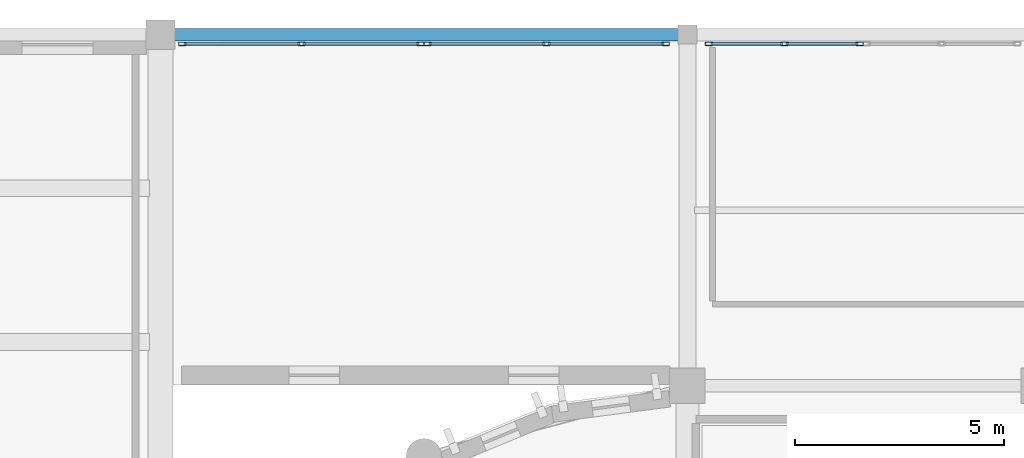
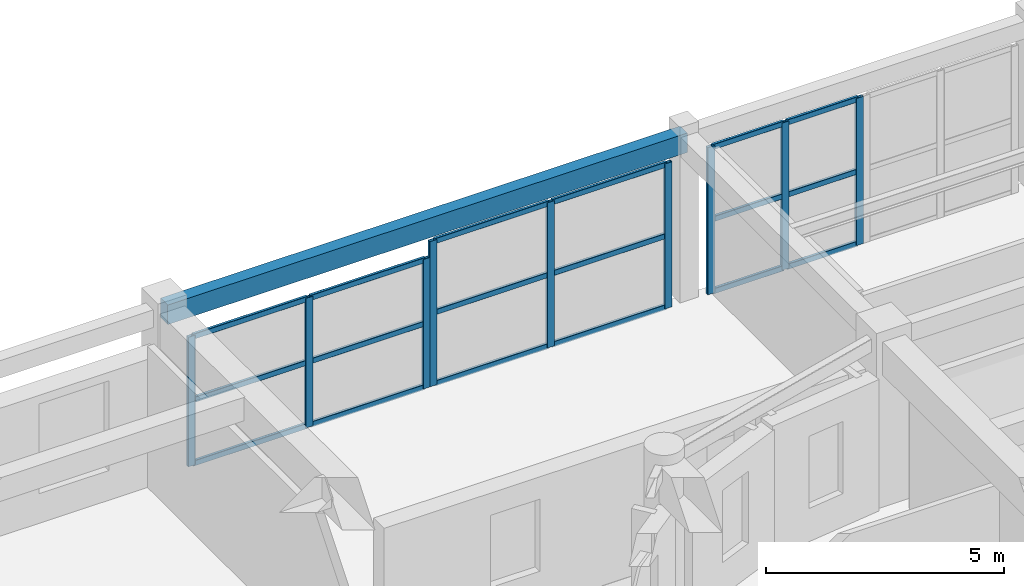
# One storey, part 32 of 92: 27 members, 1 beam, 3 elements without a shape of their own.
"""IFC4 building model written with IfcOpenShell, lengths in metres."""

from ifc_helpers import new_model, si_unit, direction, frame, origin, origin_2d, place, context, subcontext, project, spatial, rectangle, hollow_rectangle, extrude, material, layer, layer_set, material_profile, profile_set, type_object, element, aggregate, save


model = new_model("IFC4")

# Units and contexts
model_context = context("Model", 3, precision=1e-05, world=origin(), true_north=direction((0.0, 1.0)))
body_context = subcontext(model_context, "Body", "Model", "MODEL_VIEW")
ifc_project = project(units=[si_unit("LENGTHUNIT", "METRE"), si_unit("AREAUNIT", "SQUARE_METRE"), si_unit("VOLUMEUNIT", "CUBIC_METRE"), si_unit("PLANEANGLEUNIT", "RADIAN"), si_unit("MASSUNIT", "GRAM", prefix="KILO")], contexts=[model_context])

# Site, building, storey
site_placement = place(None, origin())
site = spatial("IfcSite", under=ifc_project, at=site_placement, CompositionType="ELEMENT")
building_placement = place(site_placement, origin())
building = spatial("IfcBuilding", under=site, at=building_placement, Name="Tarnavel Promenade Courthouse", CompositionType="ELEMENT")
storey_placement = place(building_placement, frame((0.0, 0.0, 5.39990234375)))
storey = spatial("IfcBuildingStorey", under=building, at=storey_placement, Name="L02", CompositionType="ELEMENT", Elevation=5.39990234375)

# Beam
ifc_material_1 = material(Name="Concrete C40/50", Category="concrete")
ifc_material_profile_1 = material_profile(ifc_material_1, rectangle(XDim=0.300048828125, YDim=0.5, at=origin_2d()), Name="RC 300x500")
ifc_profile_set_1 = profile_set([ifc_material_profile_1], Name="Concrete C40/50")
beam_type = type_object("IfcBeamType", Name="Concrete C40/50 BM-SP-300x500 (RC 300x500)", PredefinedType="SPANDREL", material=ifc_profile_set_1)
beam_placement = place(storey_placement, frame((46.199951171875, 112.800048828125, 3.985107421875), z_axis=(1.0, 0.0, 0.0), x_axis=(0.0, 1.0, 0.0)))
element("IfcBeam", 1, at=beam_placement, inside=storey, type_object=beam_type, Name="L02 Primary Longitudinal Beam 1215", PredefinedType="SPANDREL", context=body_context, shape_type="SweptSolid", body=[
    extrude(rectangle(XDim=0.300048828125, YDim=0.5, at=origin_2d()), origin(), (0.0, 0.0, 1.0), 12.60009765625),
])

# Curtain wall, members
ifc_material_2 = material(Name="Thermally Broken Anodised Aluminium Curtain Wall System", Category="aluminium")
ifc_layer = layer(ifc_material_2, 0.199951171875)
ifc_layer_set = layer_set([ifc_layer], Name="Thermally Broken Anodised Aluminium Curtain Wall System")
curtain_wall_type = type_object("IfcCurtainWallType", Name="Thermally Broken Aluminium Triple-Glazed Curtain Wall CW-FOYER", PredefinedType="NOTDEFINED", material=ifc_layer_set)
curtain_wall_1_placement = place(storey_placement, origin())
curtain_wall_1 = element("IfcCurtainWall", 2, at=curtain_wall_1_placement, inside=storey, type_object=curtain_wall_type, Name="L02 North Foyer Curtain Wall A 126", PredefinedType="NOTDEFINED")
ifc_material_3 = material(Name="Thermally Broken Anodised Aluminium Frame", Category="aluminium")
ifc_material_profile_2 = material_profile(ifc_material_3, hollow_rectangle(XDim=0.080078125, YDim=0.179931640625, WallThickness=0.0048828125, InnerFilletRadius=0.0048828125, OuterFilletRadius=0.010009765625, at=origin_2d()), Name="CWM 180x80x5")
ifc_profile_set_2 = profile_set([ifc_material_profile_2], Name="Thermally Broken Anodised Aluminium Frame")
member_type_1 = type_object("IfcMemberType", Name="Thermally Broken Anodised Aluminium CWM-155 (CWM 180x80x5)", PredefinedType="MULLION", material=ifc_profile_set_2)
member_1_placement = place(storey_placement, frame((46.719970703125, 112.580078125, 0.0), z_axis=(0.0, 0.0, 1.0), x_axis=(0.0, 1.0, 0.0)))
member_1 = element("IfcMember", 3, at=member_1_placement, type_object=member_type_1, Name="CW-04 mullion 1", PredefinedType="MULLION", context=body_context, shape_type="SweptSolid", body=[
    extrude(hollow_rectangle(XDim=0.080078125, YDim=0.179931640625, WallThickness=0.0048828125, InnerFilletRadius=0.0048828125, OuterFilletRadius=0.010009765625, at=origin_2d()), origin(), (0.0, 0.0, 1.0), 3.320068359375),
])
member_2_placement = place(storey_placement, frame((49.570068359375, 112.580078125, 0.0), z_axis=(0.0, 0.0, 1.0), x_axis=(0.0, 1.0, 0.0)))
member_2 = element("IfcMember", 4, at=member_2_placement, type_object=member_type_1, Name="CW-04 mullion 2", PredefinedType="MULLION", context=body_context, shape_type="SweptSolid", body=[
    extrude(hollow_rectangle(XDim=0.080078125, YDim=0.179931640625, WallThickness=0.0048828125, InnerFilletRadius=0.0048828125, OuterFilletRadius=0.010009765625, at=origin_2d()), origin(), (0.0, 0.0, 1.0), 3.320068359375),
])
member_3_placement = place(storey_placement, frame((52.419921875, 112.580078125, 0.0), z_axis=(0.0, 0.0, 1.0), x_axis=(0.0, 1.0, 0.0)))
member_3 = element("IfcMember", 5, at=member_3_placement, type_object=member_type_1, Name="CW-04 mullion 3", PredefinedType="MULLION", context=body_context, shape_type="SweptSolid", body=[
    extrude(hollow_rectangle(XDim=0.080078125, YDim=0.179931640625, WallThickness=0.0048828125, InnerFilletRadius=0.0048828125, OuterFilletRadius=0.010009765625, at=origin_2d()), origin(), (0.0, 0.0, 1.0), 3.320068359375),
])

curtain_wall_2_placement = place(storey_placement, origin())
curtain_wall_2 = element("IfcCurtainWall", 6, at=curtain_wall_2_placement, inside=storey, type_object=curtain_wall_type, Name="L02 North Foyer Curtain Wall B 127", PredefinedType="NOTDEFINED")
member_4_placement = place(storey_placement, frame((52.580078125, 112.580078125, 0.0), z_axis=(0.0, 0.0, 1.0), x_axis=(0.0, 1.0, 0.0)))
member_4 = element("IfcMember", 7, at=member_4_placement, type_object=member_type_1, Name="CW-04 mullion 1", PredefinedType="MULLION", context=body_context, shape_type="SweptSolid", body=[
    extrude(hollow_rectangle(XDim=0.080078125, YDim=0.179931640625, WallThickness=0.0048828125, InnerFilletRadius=0.0048828125, OuterFilletRadius=0.010009765625, at=origin_2d()), origin(), (0.0, 0.0, 1.0), 3.72021484375),
])
member_5_placement = place(storey_placement, frame((55.429931640625, 112.580078125, 0.0), z_axis=(0.0, 0.0, 1.0), x_axis=(0.0, 1.0, 0.0)))
member_5 = element("IfcMember", 8, at=member_5_placement, type_object=member_type_1, Name="CW-04 mullion 2", PredefinedType="MULLION", context=body_context, shape_type="SweptSolid", body=[
    extrude(hollow_rectangle(XDim=0.080078125, YDim=0.179931640625, WallThickness=0.0048828125, InnerFilletRadius=0.0048828125, OuterFilletRadius=0.010009765625, at=origin_2d()), origin(), (0.0, 0.0, 1.0), 3.72021484375),
])
member_6_placement = place(storey_placement, frame((58.280029296875, 112.580078125, 0.0), z_axis=(0.0, 0.0, 1.0), x_axis=(0.0, 1.0, 0.0)))
member_6 = element("IfcMember", 9, at=member_6_placement, type_object=member_type_1, Name="CW-04 mullion 3", PredefinedType="MULLION", context=body_context, shape_type="SweptSolid", body=[
    extrude(hollow_rectangle(XDim=0.080078125, YDim=0.179931640625, WallThickness=0.0048828125, InnerFilletRadius=0.0048828125, OuterFilletRadius=0.010009765625, at=origin_2d()), origin(), (0.0, 0.0, 1.0), 3.72021484375),
])

curtain_wall_3_placement = place(storey_placement, origin())
curtain_wall_3 = element("IfcCurtainWall", 10, at=curtain_wall_3_placement, inside=storey, type_object=curtain_wall_type, Name="L02 North Foyer Curtain Wall A 128", PredefinedType="NOTDEFINED")
member_7_placement = place(storey_placement, frame((59.320068359375, 112.580078125, 0.0), z_axis=(0.0, 0.0, 1.0), x_axis=(0.0, 1.0, 0.0)))
member_7 = element("IfcMember", 11, at=member_7_placement, type_object=member_type_1, Name="CW-04 mullion 1", PredefinedType="MULLION", context=body_context, shape_type="SweptSolid", body=[
    extrude(hollow_rectangle(XDim=0.080078125, YDim=0.179931640625, WallThickness=0.0048828125, InnerFilletRadius=0.0048828125, OuterFilletRadius=0.010009765625, at=origin_2d()), origin(), (0.0, 0.0, 1.0), 3.77001953125),
])
member_8_placement = place(storey_placement, frame((61.1201171875, 112.580078125, 0.0), z_axis=(0.0, 0.0, 1.0), x_axis=(0.0, 1.0, 0.0)))
member_8 = element("IfcMember", 12, at=member_8_placement, type_object=member_type_1, Name="CW-04 mullion 2", PredefinedType="MULLION", context=body_context, shape_type="SweptSolid", body=[
    extrude(hollow_rectangle(XDim=0.080078125, YDim=0.179931640625, WallThickness=0.0048828125, InnerFilletRadius=0.0048828125, OuterFilletRadius=0.010009765625, at=origin_2d()), origin(), (0.0, 0.0, 1.0), 3.77001953125),
])
member_9_placement = place(storey_placement, frame((62.919921875, 112.580078125, 0.0), z_axis=(0.0, 0.0, 1.0), x_axis=(0.0, 1.0, 0.0)))
member_9 = element("IfcMember", 13, at=member_9_placement, type_object=member_type_1, Name="CW-04 mullion 3", PredefinedType="MULLION", context=body_context, shape_type="SweptSolid", body=[
    extrude(hollow_rectangle(XDim=0.080078125, YDim=0.179931640625, WallThickness=0.0048828125, InnerFilletRadius=0.0048828125, OuterFilletRadius=0.010009765625, at=origin_2d()), origin(), (0.0, 0.0, 1.0), 3.77001953125),
])

# Member
ifc_material_profile_3 = material_profile(ifc_material_3, hollow_rectangle(XDim=0.070068359375, YDim=0.139892578125, WallThickness=0.0048828125, InnerFilletRadius=0.0048828125, OuterFilletRadius=0.010009765625, at=origin_2d()), Name="CWT 140x70x5")
ifc_profile_set_3 = profile_set([ifc_material_profile_3], Name="Thermally Broken Anodised Aluminium Frame")
member_type_2 = type_object("IfcMemberType", Name="Thermally Broken Anodised Aluminium CWT-125 (CWT 140x70x5)", PredefinedType="USERDEFINED", material=ifc_profile_set_3)
member_10_placement = place(storey_placement, frame((46.760009765625, 112.580078125, 0.03515625), z_axis=(1.0, 0.0, 0.0), x_axis=(0.0, 1.0, 0.0)))
member_10 = element("IfcMember", 14, at=member_10_placement, type_object=member_type_2, Name="CW-04 transom 1.1", ObjectType="TRANSOM", PredefinedType="USERDEFINED", context=body_context, shape_type="SweptSolid", body=[
    extrude(hollow_rectangle(XDim=0.070068359375, YDim=0.139892578125, WallThickness=0.0048828125, InnerFilletRadius=0.0048828125, OuterFilletRadius=0.010009765625, at=origin_2d()), origin(), (0.0, 0.0, 1.0), 2.77001953125),
])

member_11_placement = place(storey_placement, frame((46.760009765625, 112.580078125, 1.66015625), z_axis=(1.0, 0.0, 0.0), x_axis=(0.0, 1.0, 0.0)))
member_11 = element("IfcMember", 15, at=member_11_placement, type_object=member_type_2, Name="CW-04 transom 1.2", ObjectType="TRANSOM", PredefinedType="USERDEFINED", context=body_context, shape_type="SweptSolid", body=[
    extrude(hollow_rectangle(XDim=0.070068359375, YDim=0.139892578125, WallThickness=0.0048828125, InnerFilletRadius=0.0048828125, OuterFilletRadius=0.010009765625, at=origin_2d()), origin(), (0.0, 0.0, 1.0), 2.77001953125),
])

member_12_placement = place(storey_placement, frame((46.760009765625, 112.580078125, 3.28515625), z_axis=(1.0, 0.0, 0.0), x_axis=(0.0, 1.0, 0.0)))
member_12 = element("IfcMember", 16, at=member_12_placement, type_object=member_type_2, Name="CW-04 transom 1.3", ObjectType="TRANSOM", PredefinedType="USERDEFINED", context=body_context, shape_type="SweptSolid", body=[
    extrude(hollow_rectangle(XDim=0.070068359375, YDim=0.139892578125, WallThickness=0.0048828125, InnerFilletRadius=0.0048828125, OuterFilletRadius=0.010009765625, at=origin_2d()), origin(), (0.0, 0.0, 1.0), 2.77001953125),
])

member_13_placement = place(storey_placement, frame((49.610107421875, 112.580078125, 0.03515625), z_axis=(1.0, 0.0, 0.0), x_axis=(0.0, 1.0, 0.0)))
member_13 = element("IfcMember", 17, at=member_13_placement, type_object=member_type_2, Name="CW-04 transom 2.1", ObjectType="TRANSOM", PredefinedType="USERDEFINED", context=body_context, shape_type="SweptSolid", body=[
    extrude(hollow_rectangle(XDim=0.070068359375, YDim=0.139892578125, WallThickness=0.0048828125, InnerFilletRadius=0.0048828125, OuterFilletRadius=0.010009765625, at=origin_2d()), origin(), (0.0, 0.0, 1.0), 2.769775390625),
])

member_14_placement = place(storey_placement, frame((49.610107421875, 112.580078125, 1.66015625), z_axis=(1.0, 0.0, 0.0), x_axis=(0.0, 1.0, 0.0)))
member_14 = element("IfcMember", 18, at=member_14_placement, type_object=member_type_2, Name="CW-04 transom 2.2", ObjectType="TRANSOM", PredefinedType="USERDEFINED", context=body_context, shape_type="SweptSolid", body=[
    extrude(hollow_rectangle(XDim=0.070068359375, YDim=0.139892578125, WallThickness=0.0048828125, InnerFilletRadius=0.0048828125, OuterFilletRadius=0.010009765625, at=origin_2d()), origin(), (0.0, 0.0, 1.0), 2.769775390625),
])

member_15_placement = place(storey_placement, frame((49.610107421875, 112.580078125, 3.28515625), z_axis=(1.0, 0.0, 0.0), x_axis=(0.0, 1.0, 0.0)))
member_15 = element("IfcMember", 19, at=member_15_placement, type_object=member_type_2, Name="CW-04 transom 2.3", ObjectType="TRANSOM", PredefinedType="USERDEFINED", context=body_context, shape_type="SweptSolid", body=[
    extrude(hollow_rectangle(XDim=0.070068359375, YDim=0.139892578125, WallThickness=0.0048828125, InnerFilletRadius=0.0048828125, OuterFilletRadius=0.010009765625, at=origin_2d()), origin(), (0.0, 0.0, 1.0), 2.769775390625),
])

aggregate(curtain_wall_1, [member_1, member_2, member_3, member_10, member_11, member_12, member_13, member_14, member_15])

member_16_placement = place(storey_placement, frame((52.6201171875, 112.580078125, 0.03515625), z_axis=(1.0, 0.0, 0.0), x_axis=(0.0, 1.0, 0.0)))
member_16 = element("IfcMember", 20, at=member_16_placement, type_object=member_type_2, Name="CW-04 transom 1.1", ObjectType="TRANSOM", PredefinedType="USERDEFINED", context=body_context, shape_type="SweptSolid", body=[
    extrude(hollow_rectangle(XDim=0.070068359375, YDim=0.139892578125, WallThickness=0.0048828125, InnerFilletRadius=0.0048828125, OuterFilletRadius=0.010009765625, at=origin_2d()), origin(), (0.0, 0.0, 1.0), 2.769775390625),
])

member_17_placement = place(storey_placement, frame((52.6201171875, 112.580078125, 1.860107421875), z_axis=(1.0, 0.0, 0.0), x_axis=(0.0, 1.0, 0.0)))
member_17 = element("IfcMember", 21, at=member_17_placement, type_object=member_type_2, Name="CW-04 transom 1.2", ObjectType="TRANSOM", PredefinedType="USERDEFINED", context=body_context, shape_type="SweptSolid", body=[
    extrude(hollow_rectangle(XDim=0.070068359375, YDim=0.139892578125, WallThickness=0.0048828125, InnerFilletRadius=0.0048828125, OuterFilletRadius=0.010009765625, at=origin_2d()), origin(), (0.0, 0.0, 1.0), 2.769775390625),
])

member_18_placement = place(storey_placement, frame((52.6201171875, 112.580078125, 3.68505859375), z_axis=(1.0, 0.0, 0.0), x_axis=(0.0, 1.0, 0.0)))
member_18 = element("IfcMember", 22, at=member_18_placement, type_object=member_type_2, Name="CW-04 transom 1.3", ObjectType="TRANSOM", PredefinedType="USERDEFINED", context=body_context, shape_type="SweptSolid", body=[
    extrude(hollow_rectangle(XDim=0.070068359375, YDim=0.139892578125, WallThickness=0.0048828125, InnerFilletRadius=0.0048828125, OuterFilletRadius=0.010009765625, at=origin_2d()), origin(), (0.0, 0.0, 1.0), 2.769775390625),
])

member_19_placement = place(storey_placement, frame((55.469970703125, 112.580078125, 0.03515625), z_axis=(1.0, 0.0, 0.0), x_axis=(0.0, 1.0, 0.0)))
member_19 = element("IfcMember", 23, at=member_19_placement, type_object=member_type_2, Name="CW-04 transom 2.1", ObjectType="TRANSOM", PredefinedType="USERDEFINED", context=body_context, shape_type="SweptSolid", body=[
    extrude(hollow_rectangle(XDim=0.070068359375, YDim=0.139892578125, WallThickness=0.0048828125, InnerFilletRadius=0.0048828125, OuterFilletRadius=0.010009765625, at=origin_2d()), origin(), (0.0, 0.0, 1.0), 2.77001953125),
])

member_20_placement = place(storey_placement, frame((55.469970703125, 112.580078125, 1.860107421875), z_axis=(1.0, 0.0, 0.0), x_axis=(0.0, 1.0, 0.0)))
member_20 = element("IfcMember", 24, at=member_20_placement, type_object=member_type_2, Name="CW-04 transom 2.2", ObjectType="TRANSOM", PredefinedType="USERDEFINED", context=body_context, shape_type="SweptSolid", body=[
    extrude(hollow_rectangle(XDim=0.070068359375, YDim=0.139892578125, WallThickness=0.0048828125, InnerFilletRadius=0.0048828125, OuterFilletRadius=0.010009765625, at=origin_2d()), origin(), (0.0, 0.0, 1.0), 2.77001953125),
])

member_21_placement = place(storey_placement, frame((55.469970703125, 112.580078125, 3.68505859375), z_axis=(1.0, 0.0, 0.0), x_axis=(0.0, 1.0, 0.0)))
member_21 = element("IfcMember", 25, at=member_21_placement, type_object=member_type_2, Name="CW-04 transom 2.3", ObjectType="TRANSOM", PredefinedType="USERDEFINED", context=body_context, shape_type="SweptSolid", body=[
    extrude(hollow_rectangle(XDim=0.070068359375, YDim=0.139892578125, WallThickness=0.0048828125, InnerFilletRadius=0.0048828125, OuterFilletRadius=0.010009765625, at=origin_2d()), origin(), (0.0, 0.0, 1.0), 2.77001953125),
])

aggregate(curtain_wall_2, [member_4, member_5, member_6, member_16, member_17, member_18, member_19, member_20, member_21])

member_22_placement = place(storey_placement, frame((59.360107421875, 112.580078125, 0.03515625), z_axis=(1.0, 0.0, 0.0), x_axis=(0.0, 1.0, 0.0)))
member_22 = element("IfcMember", 26, at=member_22_placement, type_object=member_type_2, Name="CW-04 transom 1.1", ObjectType="TRANSOM", PredefinedType="USERDEFINED", context=body_context, shape_type="SweptSolid", body=[
    extrude(hollow_rectangle(XDim=0.070068359375, YDim=0.139892578125, WallThickness=0.0048828125, InnerFilletRadius=0.0048828125, OuterFilletRadius=0.010009765625, at=origin_2d()), origin(), (0.0, 0.0, 1.0), 1.719970703125),
])

member_23_placement = place(storey_placement, frame((59.360107421875, 112.580078125, 1.885009765625), z_axis=(1.0, 0.0, 0.0), x_axis=(0.0, 1.0, 0.0)))
member_23 = element("IfcMember", 27, at=member_23_placement, type_object=member_type_2, Name="CW-04 transom 1.2", ObjectType="TRANSOM", PredefinedType="USERDEFINED", context=body_context, shape_type="SweptSolid", body=[
    extrude(hollow_rectangle(XDim=0.070068359375, YDim=0.139892578125, WallThickness=0.0048828125, InnerFilletRadius=0.0048828125, OuterFilletRadius=0.010009765625, at=origin_2d()), origin(), (0.0, 0.0, 1.0), 1.719970703125),
])

member_24_placement = place(storey_placement, frame((59.360107421875, 112.580078125, 3.735107421875), z_axis=(1.0, 0.0, 0.0), x_axis=(0.0, 1.0, 0.0)))
member_24 = element("IfcMember", 28, at=member_24_placement, type_object=member_type_2, Name="CW-04 transom 1.3", ObjectType="TRANSOM", PredefinedType="USERDEFINED", context=body_context, shape_type="SweptSolid", body=[
    extrude(hollow_rectangle(XDim=0.070068359375, YDim=0.139892578125, WallThickness=0.0048828125, InnerFilletRadius=0.0048828125, OuterFilletRadius=0.010009765625, at=origin_2d()), origin(), (0.0, 0.0, 1.0), 1.719970703125),
])

member_25_placement = place(storey_placement, frame((61.159912109375, 112.580078125, 0.03515625), z_axis=(1.0, 0.0, 0.0), x_axis=(0.0, 1.0, 0.0)))
member_25 = element("IfcMember", 29, at=member_25_placement, type_object=member_type_2, Name="CW-04 transom 2.1", ObjectType="TRANSOM", PredefinedType="USERDEFINED", context=body_context, shape_type="SweptSolid", body=[
    extrude(hollow_rectangle(XDim=0.070068359375, YDim=0.139892578125, WallThickness=0.0048828125, InnerFilletRadius=0.0048828125, OuterFilletRadius=0.010009765625, at=origin_2d()), origin(), (0.0, 0.0, 1.0), 1.719970703125),
])

member_26_placement = place(storey_placement, frame((61.159912109375, 112.580078125, 1.885009765625), z_axis=(1.0, 0.0, 0.0), x_axis=(0.0, 1.0, 0.0)))
member_26 = element("IfcMember", 30, at=member_26_placement, type_object=member_type_2, Name="CW-04 transom 2.2", ObjectType="TRANSOM", PredefinedType="USERDEFINED", context=body_context, shape_type="SweptSolid", body=[
    extrude(hollow_rectangle(XDim=0.070068359375, YDim=0.139892578125, WallThickness=0.0048828125, InnerFilletRadius=0.0048828125, OuterFilletRadius=0.010009765625, at=origin_2d()), origin(), (0.0, 0.0, 1.0), 1.719970703125),
])

member_27_placement = place(storey_placement, frame((61.159912109375, 112.580078125, 3.735107421875), z_axis=(1.0, 0.0, 0.0), x_axis=(0.0, 1.0, 0.0)))
member_27 = element("IfcMember", 31, at=member_27_placement, type_object=member_type_2, Name="CW-04 transom 2.3", ObjectType="TRANSOM", PredefinedType="USERDEFINED", context=body_context, shape_type="SweptSolid", body=[
    extrude(hollow_rectangle(XDim=0.070068359375, YDim=0.139892578125, WallThickness=0.0048828125, InnerFilletRadius=0.0048828125, OuterFilletRadius=0.010009765625, at=origin_2d()), origin(), (0.0, 0.0, 1.0), 1.719970703125),
])

aggregate(curtain_wall_3, [member_7, member_8, member_9, member_22, member_23, member_24, member_25, member_26, member_27])

save(model, "model.ifc")
